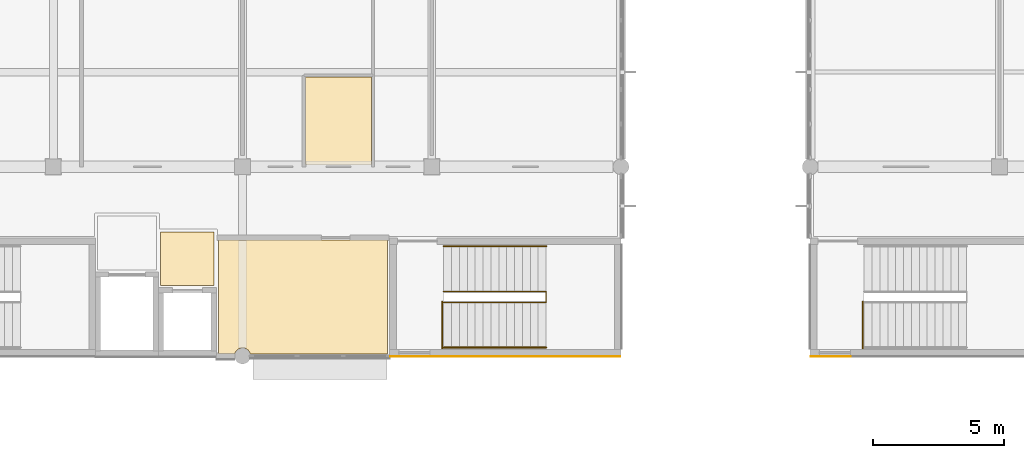
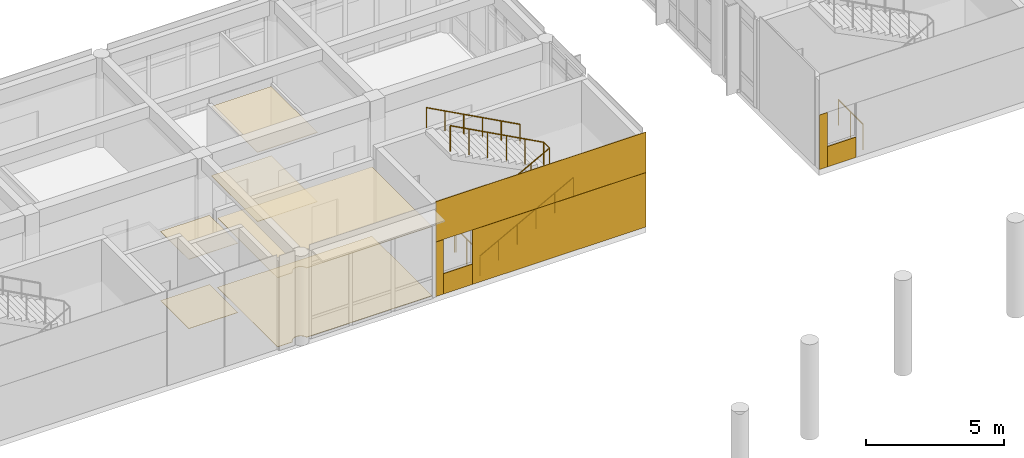
# One storey, part 37 of 41: 12 coverings, 5 railings.
"""IFC4 building model written with IfcOpenShell, lengths in metres."""

from ifc_helpers import new_model, si_unit, direction, frame, origin, origin_2d, place, context, subcontext, project, spatial, polyline, rectangle, circle, outline, extrude, material, layer, layer_set, type_object, element, save


model = new_model("IFC4")

# Units and contexts
model_context = context("Model", 3, precision=1e-05, world=origin(), true_north=direction((0.0, 1.0)))
body_context = subcontext(model_context, "Body", "Model", "MODEL_VIEW")
ifc_project = project(units=[si_unit("LENGTHUNIT", "METRE"), si_unit("AREAUNIT", "SQUARE_METRE"), si_unit("VOLUMEUNIT", "CUBIC_METRE"), si_unit("PLANEANGLEUNIT", "RADIAN"), si_unit("MASSUNIT", "GRAM", prefix="KILO")], contexts=[model_context])

# Site, building, storey
site_placement = place(None, origin())
site = spatial("IfcSite", under=ifc_project, at=site_placement, CompositionType="ELEMENT")
building_placement = place(site_placement, origin())
building = spatial("IfcBuilding", under=site, at=building_placement, Name="Namkhue Oval Health Centre", CompositionType="ELEMENT")
storey_placement = place(building_placement, frame((0.0, 0.0, 13.800048828125)))
storey = spatial("IfcBuildingStorey", under=building, at=storey_placement, Name="L03", CompositionType="ELEMENT", Elevation=13.800048828125)

# Coverings
ifc_material_1 = material(Name="Acoustic mineral-fibre cleanroom ceiling", Category="gypsum")
ifc_layer_1 = layer(ifc_material_1, 0.02001953125)
ifc_layer_set_1 = layer_set([ifc_layer_1], Name="Acoustic mineral-fibre cleanroom ceiling")
covering_type_1 = type_object("IfcCoveringType", Name="ACOUSTIC CLEANROOM CEILING 20", PredefinedType="CEILING", material=ifc_layer_set_1)
covering_1_placement = place(storey_placement, frame((0.0, 0.0, 3.050048828125)))
element("IfcCovering", 1, at=covering_1_placement, inside=storey, type_object=covering_type_1, Name="Acoustic Ceiling L03-LL2 Lift Lobby LF-02", PredefinedType="CEILING", context=body_context, shape_type="SweptSolid", body=[
    extrude(outline(polyline([(68.8798828125, 92.679931640625), (68.8798828125, 94.719970703125), (70.919921875, 94.719970703125), (70.919921875, 92.679931640625), (68.8798828125, 92.679931640625)])), origin(), (0.0, 0.0, 1.0), 0.02001953125),
])
covering_2_placement = place(storey_placement, frame((0.0, 0.0, 3.050048828125)))
element("IfcCovering", 2, at=covering_2_placement, inside=storey, type_object=covering_type_1, Name="Acoustic Ceiling L03-206 Accessible WC", PredefinedType="CEILING", context=body_context, shape_type="SweptSolid", body=[
    extrude(outline(polyline([(76.89990234375, 100.6201171875), (76.89990234375, 97.280029296875), (74.39990234375, 97.280029296875), (74.39990234375, 100.6201171875), (76.89990234375, 100.6201171875)])), origin(), (0.0, 0.0, 1.0), 0.02001953125),
])
covering_3_placement = place(storey_placement, frame((0.0, 0.0, 3.050048828125)))
element("IfcCovering", 3, at=covering_3_placement, inside=storey, type_object=covering_type_1, Name="Acoustic Ceiling L03-210 Immunology Patch Testing Room", PredefinedType="CEILING", context=body_context, shape_type="SweptSolid", body=[
    extrude(outline(polyline([(72.297607421875, 90.0849609375), (72.2685546875, 90.155029296875), (72.21923828125, 90.21923828125), (72.155029296875, 90.2685546875), (72.080078125, 90.29931640625), (72.0, 90.31005859375), (71.919921875, 90.29931640625), (71.844970703125, 90.2685546875), (71.78076171875, 90.21923828125), (71.7314453125, 90.155029296875), (71.702392578125, 90.0849609375), (71.080078125, 90.0849609375), (71.080078125, 94.419921875), (77.52001953125, 94.419921875), (77.52001953125, 90.0849609375), (72.297607421875, 90.0849609375)])), origin(), (0.0, 0.0, 1.0), 0.02001953125),
])
ifc_material_2 = material(Name="Homogeneous anti-bacterial clinical vinyl flooring", Category="plastic")
ifc_layer_2 = layer(ifc_material_2, 0.014892578125)
ifc_layer_set_2 = layer_set([ifc_layer_2], Name="Homogeneous anti-bacterial clinical vinyl flooring")
covering_type_2 = type_object("IfcCoveringType", Name="CLINICAL ANTIBACTERIAL VINYL FLOORING 15", PredefinedType="FLOORING", material=ifc_layer_set_2)
covering_4_placement = place(storey_placement, origin())
element("IfcCovering", 4, at=covering_4_placement, inside=storey, type_object=covering_type_2, Name="Clinical Flooring L03-LL2 Lift Lobby LF-02", PredefinedType="FLOORING", context=body_context, shape_type="SweptSolid", body=[
    extrude(outline(polyline([(68.8798828125, 92.679931640625), (68.8798828125, 94.719970703125), (70.919921875, 94.719970703125), (70.919921875, 92.679931640625), (68.8798828125, 92.679931640625)])), origin(), (0.0, 0.0, 1.0), 0.014892578125),
])
covering_5_placement = place(storey_placement, origin())
element("IfcCovering", 5, at=covering_5_placement, inside=storey, type_object=covering_type_2, Name="Clinical Flooring L03-206 Accessible WC", PredefinedType="FLOORING", context=body_context, shape_type="SweptSolid", body=[
    extrude(outline(polyline([(76.89990234375, 100.6201171875), (76.89990234375, 97.280029296875), (74.39990234375, 97.280029296875), (74.39990234375, 100.6201171875), (76.89990234375, 100.6201171875)])), origin(), (0.0, 0.0, 1.0), 0.014892578125),
])
covering_6_placement = place(storey_placement, origin())
element("IfcCovering", 6, at=covering_6_placement, inside=storey, type_object=covering_type_2, Name="Clinical Flooring L03-210 Immunology Patch Testing Room", PredefinedType="FLOORING", context=body_context, shape_type="SweptSolid", body=[
    extrude(outline(polyline([(72.297607421875, 90.0849609375), (72.2685546875, 90.155029296875), (72.21923828125, 90.21923828125), (72.155029296875, 90.2685546875), (72.080078125, 90.29931640625), (72.0, 90.31005859375), (71.919921875, 90.29931640625), (71.844970703125, 90.2685546875), (71.78076171875, 90.21923828125), (71.7314453125, 90.155029296875), (71.702392578125, 90.0849609375), (71.080078125, 90.0849609375), (71.080078125, 94.419921875), (77.52001953125, 94.419921875), (77.52001953125, 90.0849609375), (72.297607421875, 90.0849609375)])), origin(), (0.0, 0.0, 1.0), 0.014892578125),
])

# Railings
ifc_material_3 = material(Name="Brushed stainless steel 316L balustrade with laminated glass infill", Category="steel")
railing_type_1 = type_object("IfcRailingType", Name="INTERIOR BALUSTRADE GUARD 1150", PredefinedType="BALUSTRADE", material=ifc_material_3)
railing_1_placement = place(storey_placement, frame((79.60009765625, 90.2900390625, 0.0)))
element("IfcRailing", 7, at=railing_1_placement, inside=storey, type_object=railing_type_1, Name="Stair ST-04 L03 Landing Well Edge Guard", PredefinedType="BALUSTRADE", context=body_context, shape_type="SweptSolid", body=[
    extrude(circle(Radius=0.02392578125, at=origin_2d()), frame((0.0, 0.0, 1.1259765625), z_axis=(0.0, 1.0, 0.0), x_axis=(-1.0, 0.0, 0.0)), (0.0, 0.0, 1.0), 1.77001953125),
    extrude(circle(Radius=0.02099609375, at=origin_2d()), origin(), (0.0, 0.0, 1.0), 1.101806640625),
    extrude(circle(Radius=0.02099609375, at=origin_2d()), frame((0.0, 0.885009765625, 0.0)), (0.0, 0.0, 1.0), 1.101806640625),
    extrude(circle(Radius=0.02099609375, at=origin_2d()), frame((0.0, 1.77001953125, 0.0)), (0.0, 0.0, 1.0), 1.101806640625),
])
railing_2_placement = place(storey_placement, frame((79.64990234375, 92.0400390625, 0.0)))
element("IfcRailing", 8, at=railing_2_placement, inside=storey, type_object=railing_type_1, Name="Stair ST-04 L03 Inner Well Guard", PredefinedType="BALUSTRADE", context=body_context, shape_type="SweptSolid", body=[
    extrude(circle(Radius=0.02392578125, at=origin_2d()), frame((0.0, 0.0, 1.1259765625), z_axis=(0.88049233674, 0.0, 0.474060381114), x_axis=(0.0, 1.0, 0.0)), (0.0, 0.0, 1.0), 4.429443359375),
    extrude(circle(Radius=0.02392578125, at=origin_2d()), frame((3.900146484375, 0.0, 3.2255859375), z_axis=(0.0, 1.0, 0.0), x_axis=(-1.0, 0.0, 0.0)), (0.0, 0.0, 1.0), 0.419921875),
    extrude(circle(Radius=0.02392578125, at=origin_2d()), frame((3.900146484375, 0.419921875, 3.2255859375), z_axis=(-0.880469330154, 0.0, 0.474103109733), x_axis=(0.0, -1.0, 0.0)), (0.0, 0.0, 1.0), 4.4296875),
    extrude(circle(Radius=0.02099609375, at=origin_2d()), origin(), (0.0, 0.0, 1.0), 1.101806640625),
    extrude(circle(Radius=0.02099609375, at=origin_2d()), frame((0.780029296875, 0.0, 0.419921875)), (0.0, 0.0, 1.0), 1.101806640625),
    extrude(circle(Radius=0.02099609375, at=origin_2d()), frame((1.56005859375, 0.0, 0.83984375)), (0.0, 0.0, 1.0), 1.101806640625),
    extrude(circle(Radius=0.02099609375, at=origin_2d()), frame((2.340087890625, 0.0, 1.260009765625)), (0.0, 0.0, 1.0), 1.101806640625),
    extrude(circle(Radius=0.02099609375, at=origin_2d()), frame((3.1201171875, 0.0, 1.679931640625)), (0.0, 0.0, 1.0), 1.101806640625),
    extrude(circle(Radius=0.02099609375, at=origin_2d()), frame((3.900146484375, 0.0, 2.099853515625)), (0.0, 0.0, 1.0), 1.101806640625),
    extrude(circle(Radius=0.02099609375, at=origin_2d()), frame((3.900146484375, 0.419921875, 2.099853515625)), (0.0, 0.0, 1.0), 1.101806640625),
    extrude(circle(Radius=0.02099609375, at=origin_2d()), frame((3.1201171875, 0.419921875, 2.519775390625)), (0.0, 0.0, 1.0), 1.101806640625),
    extrude(circle(Radius=0.02099609375, at=origin_2d()), frame((2.340087890625, 0.419921875, 2.93994140625)), (0.0, 0.0, 1.0), 1.101806640625),
    extrude(circle(Radius=0.02099609375, at=origin_2d()), frame((1.56005859375, 0.419921875, 3.35986328125)), (0.0, 0.0, 1.0), 1.101806640625),
    extrude(circle(Radius=0.02099609375, at=origin_2d()), frame((0.780029296875, 0.419921875, 3.780029296875)), (0.0, 0.0, 1.0), 1.101806640625),
    extrude(circle(Radius=0.02099609375, at=origin_2d()), frame((0.0, 0.419921875, 4.199951171875)), (0.0, 0.0, 1.0), 1.101806640625),
])
railing_3_placement = place(storey_placement, frame((95.60009765625, 90.2900390625, 0.0)))
element("IfcRailing", 9, at=railing_3_placement, inside=storey, type_object=railing_type_1, Name="Stair ST-05 L03 Landing Well Edge Guard", PredefinedType="BALUSTRADE", context=body_context, shape_type="SweptSolid", body=[
    extrude(circle(Radius=0.02392578125, at=origin_2d()), frame((0.0, 0.0, 1.1259765625), z_axis=(0.0, 1.0, 0.0), x_axis=(-1.0, 0.0, 0.0)), (0.0, 0.0, 1.0), 1.77001953125),
    extrude(circle(Radius=0.02099609375, at=origin_2d()), origin(), (0.0, 0.0, 1.0), 1.101806640625),
    extrude(circle(Radius=0.02099609375, at=origin_2d()), frame((0.0, 0.885009765625, 0.0)), (0.0, 0.0, 1.0), 1.101806640625),
    extrude(circle(Radius=0.02099609375, at=origin_2d()), frame((0.0, 1.77001953125, 0.0)), (0.0, 0.0, 1.0), 1.101806640625),
])
ifc_material_4 = material(Name="Brushed stainless steel 304 tubular handrail", Category="steel")
railing_type_2 = type_object("IfcRailingType", Name="INTERIOR STAIR HANDRAIL 900", PredefinedType="HANDRAIL", material=ifc_material_4)
railing_4_placement = place(storey_placement, frame((79.64990234375, 90.320068359375, 0.0)))
element("IfcRailing", 10, at=railing_4_placement, inside=storey, type_object=railing_type_2, Name="Stair ST-04 L03 Flight 1 Handrail", PredefinedType="HANDRAIL", context=body_context, shape_type="SweptSolid", body=[
    extrude(circle(Radius=0.02392578125, at=origin_2d()), frame((0.0, 0.0, 0.8759765625), z_axis=(0.88049233674, 0.0, 0.474060381114), x_axis=(0.0, 1.0, 0.0)), (0.0, 0.0, 1.0), 4.429443359375),
    extrude(circle(Radius=0.02099609375, at=origin_2d()), origin(), (0.0, 0.0, 1.0), 0.851806640625),
    extrude(circle(Radius=0.02099609375, at=origin_2d()), frame((0.780029296875, 0.0, 0.419921875)), (0.0, 0.0, 1.0), 0.851806640625),
    extrude(circle(Radius=0.02099609375, at=origin_2d()), frame((1.56005859375, 0.0, 0.83984375)), (0.0, 0.0, 1.0), 0.851806640625),
    extrude(circle(Radius=0.02099609375, at=origin_2d()), frame((2.340087890625, 0.0, 1.260009765625)), (0.0, 0.0, 1.0), 0.851806640625),
    extrude(circle(Radius=0.02099609375, at=origin_2d()), frame((3.1201171875, 0.0, 1.679931640625)), (0.0, 0.0, 1.0), 0.851806640625),
    extrude(circle(Radius=0.02099609375, at=origin_2d()), frame((3.900146484375, 0.0, 2.099853515625)), (0.0, 0.0, 1.0), 0.851806640625),
])
railing_5_placement = place(storey_placement, frame((83.550048828125, 94.179931640625, 2.099853515625)))
element("IfcRailing", 11, at=railing_5_placement, inside=storey, type_object=railing_type_2, Name="Stair ST-04 L03 Flight 2 Handrail", PredefinedType="HANDRAIL", context=body_context, shape_type="SweptSolid", body=[
    extrude(circle(Radius=0.02392578125, at=origin_2d()), frame((0.0, 0.0, 0.8759765625), z_axis=(-0.880469330154, 0.0, 0.474103109733), x_axis=(0.0, -1.0, 0.0)), (0.0, 0.0, 1.0), 4.4296875),
    extrude(circle(Radius=0.02099609375, at=origin_2d()), origin(), (0.0, 0.0, 1.0), 0.851806640625),
    extrude(circle(Radius=0.02099609375, at=origin_2d()), frame((-0.780029296875, 0.0, 0.419921875)), (0.0, 0.0, 1.0), 0.851806640625),
    extrude(circle(Radius=0.02099609375, at=origin_2d()), frame((-1.56005859375, 0.0, 0.840087890625)), (0.0, 0.0, 1.0), 0.851806640625),
    extrude(circle(Radius=0.02099609375, at=origin_2d()), frame((-2.340087890625, 0.0, 1.260009765625)), (0.0, 0.0, 1.0), 0.851806640625),
    extrude(circle(Radius=0.02099609375, at=origin_2d()), frame((-3.1201171875, 0.0, 1.68017578125)), (0.0, 0.0, 1.0), 0.851806640625),
    extrude(circle(Radius=0.02099609375, at=origin_2d()), frame((-3.900146484375, 0.0, 2.10009765625)), (0.0, 0.0, 1.0), 0.851806640625),
])

# Coverings
ifc_material_5 = material(Name="White glass-fibre reinforced concrete GRC rainscreen cladding", Category="concrete")
ifc_layer_3 = layer(ifc_material_5, 0.02490234375)
ifc_layer_set_3 = layer_set([ifc_layer_3], Name="White glass-fibre reinforced concrete GRC rainscreen cladding")
covering_type_3 = type_object("IfcCoveringType", Name="WHITE GRC RAINSCREEN CLADDING 25", PredefinedType="CLADDING", material=ifc_layer_set_3)
covering_7_placement = place(storey_placement, frame((82.0, 89.988037109375, 2.4150390625), z_axis=(0.0, 0.0, 1.0), x_axis=(1.0, 0.0, 0.0)))
element("IfcCovering", 12, at=covering_7_placement, inside=storey, type_object=covering_type_3, Name="Core SC-04 L03 Core S White GRC Cladding 1", PredefinedType="CLADDING", context=body_context, shape_type="SweptSolid", body=[
    extrude(rectangle(XDim=8.760009765625, YDim=0.02490234375, at=origin_2d()), origin(), (0.0, 0.0, 1.0), 1.77490234375),
])
covering_8_placement = place(storey_placement, frame((77.777587890625, 89.988037109375, 0.010009765625), z_axis=(0.0, 0.0, 1.0), x_axis=(1.0, 0.0, 0.0)))
element("IfcCovering", 13, at=covering_8_placement, inside=storey, type_object=covering_type_3, Name="Core SC-04 L03 Core S White GRC Cladding 2", PredefinedType="CLADDING", context=body_context, shape_type="SweptSolid", body=[
    extrude(rectangle(XDim=0.31494140625, YDim=0.02490234375, at=origin_2d()), origin(), (0.0, 0.0, 1.0), 2.39990234375),
])
covering_9_placement = place(storey_placement, frame((78.5400390625, 89.988037109375, 0.010009765625), z_axis=(0.0, 0.0, 1.0), x_axis=(1.0, 0.0, 0.0)))
element("IfcCovering", 14, at=covering_9_placement, inside=storey, type_object=covering_type_3, Name="Core SC-04 L03 Core S White GRC Cladding 3", PredefinedType="CLADDING", context=body_context, shape_type="SweptSolid", body=[
    extrude(rectangle(XDim=1.199951171875, YDim=0.02490234375, at=origin_2d()), origin(), (0.0, 0.0, 1.0), 0.89501953125),
])
covering_10_placement = place(storey_placement, frame((82.762451171875, 89.988037109375, 0.010009765625), z_axis=(0.0, 0.0, 1.0), x_axis=(1.0, 0.0, 0.0)))
element("IfcCovering", 15, at=covering_10_placement, inside=storey, type_object=covering_type_3, Name="Core SC-04 L03 Core S White GRC Cladding 4", PredefinedType="CLADDING", context=body_context, shape_type="SweptSolid", body=[
    extrude(rectangle(XDim=7.235107421875, YDim=0.02490234375, at=origin_2d()), origin(), (0.0, 0.0, 1.0), 2.39990234375),
])
covering_11_placement = place(storey_placement, frame((93.777587890625, 89.988037109375, 0.010009765625), z_axis=(0.0, 0.0, 1.0), x_axis=(1.0, 0.0, 0.0)))
element("IfcCovering", 16, at=covering_11_placement, inside=storey, type_object=covering_type_3, Name="Core SC-05 L03 Core S White GRC Cladding 2", PredefinedType="CLADDING", context=body_context, shape_type="SweptSolid", body=[
    extrude(rectangle(XDim=0.31494140625, YDim=0.02490234375, at=origin_2d()), origin(), (0.0, 0.0, 1.0), 2.39990234375),
])
covering_12_placement = place(storey_placement, frame((94.5400390625, 89.988037109375, 0.010009765625), z_axis=(0.0, 0.0, 1.0), x_axis=(1.0, 0.0, 0.0)))
element("IfcCovering", 17, at=covering_12_placement, inside=storey, type_object=covering_type_3, Name="Core SC-05 L03 Core S White GRC Cladding 3", PredefinedType="CLADDING", context=body_context, shape_type="SweptSolid", body=[
    extrude(rectangle(XDim=1.199951171875, YDim=0.02490234375, at=origin_2d()), origin(), (0.0, 0.0, 1.0), 0.89501953125),
])

save(model, "model.ifc")
